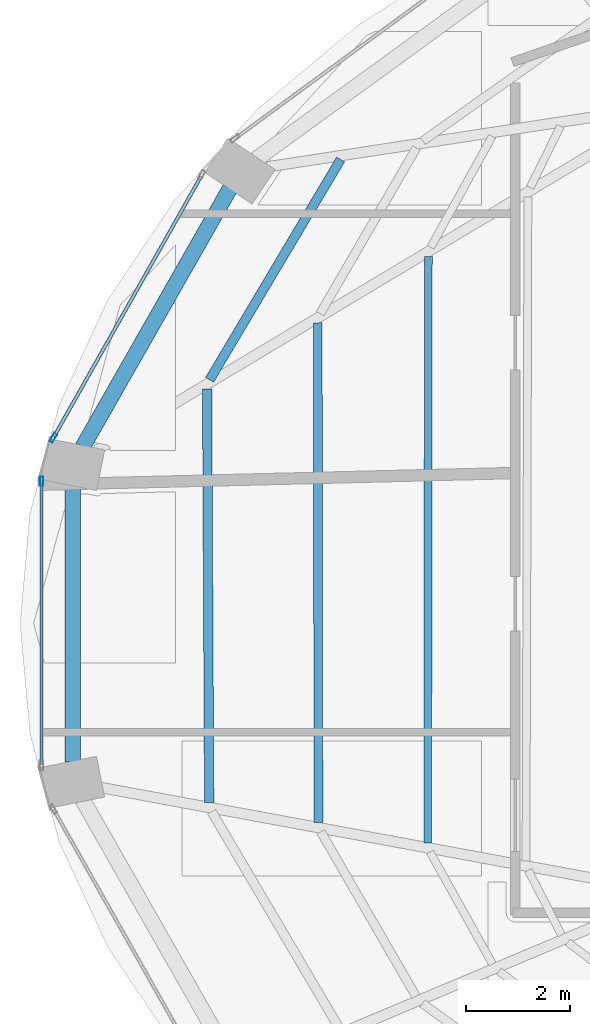
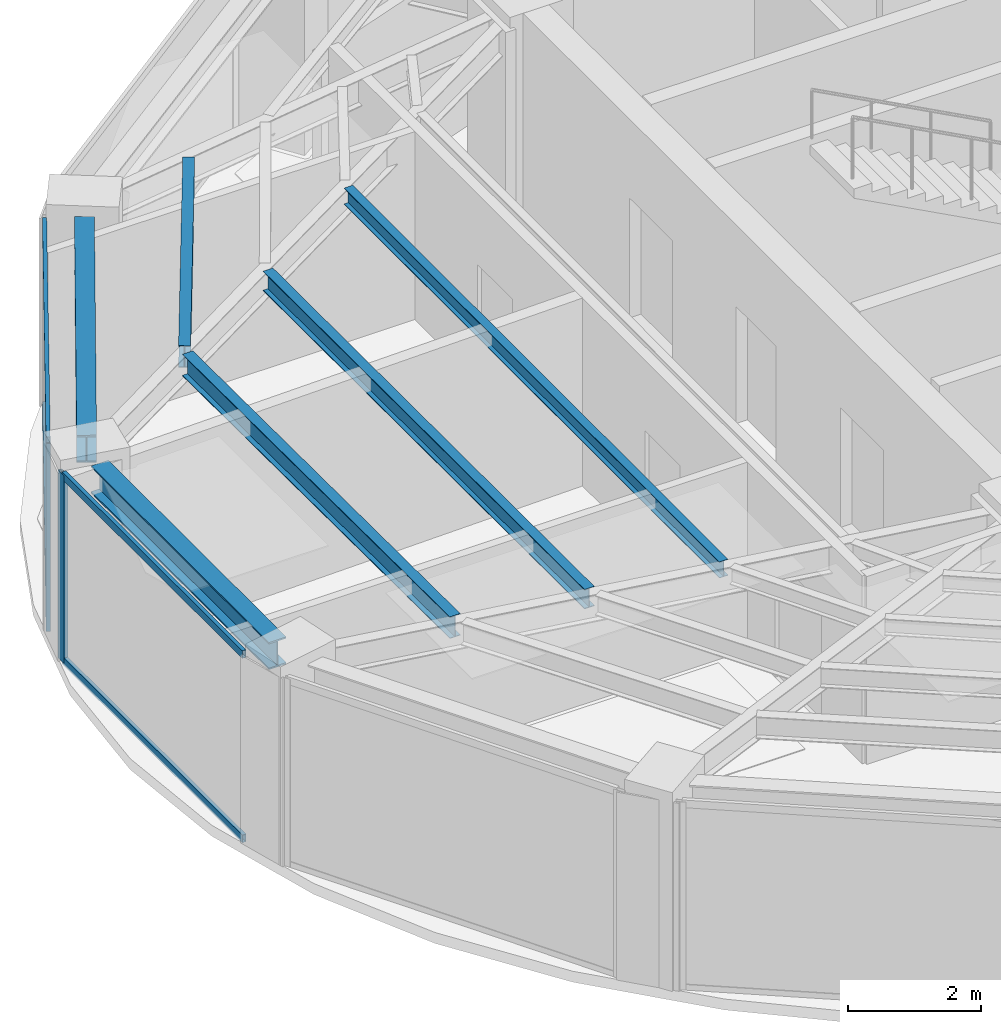
# One storey, part 8 of 23: 6 beams, 6 members, 2 elements without a shape of their own.
"""IFC4 building model written with IfcOpenShell, lengths in metres."""

from ifc_helpers import new_model, si_unit, direction, frame, origin, origin_2d, place, context, subcontext, project, spatial, hollow_rectangle, i_section, extrude, material, layer, layer_set, material_profile, profile_set, type_object, element, aggregate, save


model = new_model("IFC4")

# Units and contexts
model_context = context("Model", 3, precision=1e-05, world=origin(), true_north=direction((0.0, 1.0)))
body_context = subcontext(model_context, "Body", "Model", "MODEL_VIEW")
ifc_project = project(units=[si_unit("LENGTHUNIT", "METRE"), si_unit("AREAUNIT", "SQUARE_METRE"), si_unit("VOLUMEUNIT", "CUBIC_METRE"), si_unit("PLANEANGLEUNIT", "RADIAN"), si_unit("MASSUNIT", "GRAM", prefix="KILO")], contexts=[model_context])

# Site, building, storey
site_placement = place(None, origin())
site = spatial("IfcSite", under=ifc_project, at=site_placement, CompositionType="ELEMENT")
building_placement = place(site_placement, origin())
building = spatial("IfcBuilding", under=site, at=building_placement, Name="Lazwardi Medical Tower", CompositionType="ELEMENT")
storey_placement = place(building_placement, frame((0.0, 0.0, 234.9599609375)))
storey = spatial("IfcBuildingStorey", under=building, at=storey_placement, Name="L61", CompositionType="ELEMENT", Elevation=234.9599609375)

# Beams
ifc_material_1 = material(Name="Steel S355", Category="steel")
ifc_material_profile_1 = material_profile(ifc_material_1, i_section(OverallWidth=0.300048828125, OverallDepth=0.5, WebThickness=0.014404296875, FlangeThickness=0.028076171875, at=origin_2d()), Name="HEB 500")
ifc_profile_set_1 = profile_set([ifc_material_profile_1], Name="Steel S355")
beam_type_1 = type_object("IfcBeamType", Name="BM-RB-Z4", PredefinedType="BEAM", material=ifc_profile_set_1)
beam_1_placement = place(storey_placement, frame((17.84716796875, 33.983642578125, 3.197998046875), z_axis=(-0.495125273299, -0.868821594886, 0.0), x_axis=(0.868821594886, -0.495125273299, 0.0)))
element("IfcBeam", 1, at=beam_1_placement, inside=storey, type_object=beam_type_1, Name="Ring beam RB-05 B11 L61", PredefinedType="BEAM", context=body_context, shape_type="SweptSolid", body=[
    extrude(i_section(OverallWidth=0.300048828125, OverallDepth=0.5, WebThickness=0.014404296875, FlangeThickness=0.028076171875, at=origin_2d()), origin(), (0.0, 0.0, 1.0), 5.734130859375),
])
beam_2_placement = place(storey_placement, frame((14.81494140625, 28.27294921875, 3.197998046875), z_axis=(0.0, -1.0, 0.0), x_axis=(1.0, 0.0, 0.0)))
element("IfcBeam", 2, at=beam_2_placement, inside=storey, type_object=beam_type_1, Name="Ring beam RB-05 B12 L61", PredefinedType="BEAM", context=body_context, shape_type="SweptSolid", body=[
    extrude(i_section(OverallWidth=0.300048828125, OverallDepth=0.5, WebThickness=0.014404296875, FlangeThickness=0.028076171875, at=origin_2d()), origin(), (0.0, 0.0, 1.0), 5.345947265625),
])
ifc_material_profile_2 = material_profile(ifc_material_1, i_section(OverallWidth=0.179931640625, OverallDepth=0.39990234375, WebThickness=0.008544921875, FlangeThickness=0.013427734375, at=origin_2d()), Name="IPE 400")
ifc_profile_set_2 = profile_set([ifc_material_profile_2], Name="Steel S355")
beam_type_2 = type_object("IfcBeamType", Name="BM-SJ-01", PredefinedType="JOIST", material=ifc_profile_set_2)
beam_3_placement = place(storey_placement, frame((19.98095703125, 34.544921875, 3.248046875), z_axis=(-0.510967866251, -0.859599813668, 0.0), x_axis=(0.859599813668, -0.510967866251, 0.0)))
element("IfcBeam", 3, at=beam_3_placement, inside=storey, type_object=beam_type_2, Name="Secondary joist SJ-01 R1 B11 L61", PredefinedType="JOIST", context=body_context, shape_type="SweptSolid", body=[
    extrude(i_section(OverallWidth=0.179931640625, OverallDepth=0.39990234375, WebThickness=0.008544921875, FlangeThickness=0.013427734375, at=origin_2d()), origin(), (0.0, 0.0, 1.0), 4.94189453125),
])
beam_4_placement = place(storey_placement, frame((17.407958984375, 30.120361328125, 3.248046875), z_axis=(0.004929366644, -0.999987850598, 0.0), x_axis=(0.999987850598, 0.004929366644, 0.0)))
element("IfcBeam", 4, at=beam_4_placement, inside=storey, type_object=beam_type_2, Name="Secondary joist SJ-01 R1 B12 L61", PredefinedType="JOIST", context=body_context, shape_type="SweptSolid", body=[
    extrude(i_section(OverallWidth=0.179931640625, OverallDepth=0.39990234375, WebThickness=0.008544921875, FlangeThickness=0.013427734375, at=origin_2d()), origin(), (0.0, 0.0, 1.0), 7.973876953125),
])
ifc_material_profile_3 = material_profile(ifc_material_1, i_section(OverallWidth=0.169921875, OverallDepth=0.360107421875, WebThickness=0.008056640625, FlangeThickness=0.0126953125, at=origin_2d()), Name="IPE 360")
ifc_profile_set_3 = profile_set([ifc_material_profile_3], Name="Steel S355")
beam_type_3 = type_object("IfcBeamType", Name="BM-SJ-02", PredefinedType="JOIST", material=ifc_profile_set_3)
beam_5_placement = place(storey_placement, frame((19.541015625, 31.397705078125, 3.26806640625), z_axis=(0.001367606673, -0.999999064826, 0.0), x_axis=(0.999999064826, 0.001367606673, 0.0)))
element("IfcBeam", 5, at=beam_5_placement, inside=storey, type_object=beam_type_3, Name="Secondary joist SJ-02 R2 B12 L61", PredefinedType="JOIST", context=body_context, shape_type="SweptSolid", body=[
    extrude(i_section(OverallWidth=0.169921875, OverallDepth=0.360107421875, WebThickness=0.008056640625, FlangeThickness=0.0126953125, at=origin_2d()), origin(), (0.0, 0.0, 1.0), 9.639892578125),
])
ifc_material_profile_4 = material_profile(ifc_material_1, i_section(OverallWidth=0.14990234375, OverallDepth=0.300048828125, WebThickness=0.007080078125, FlangeThickness=0.0107421875, at=origin_2d()), Name="IPE 300")
ifc_profile_set_4 = profile_set([ifc_material_profile_4], Name="Steel S355")
beam_type_4 = type_object("IfcBeamType", Name="BM-SJ-03", PredefinedType="JOIST", material=ifc_profile_set_4)
beam_6_placement = place(storey_placement, frame((21.674072265625, 32.67529296875, 3.298095703125), z_axis=(-0.001166079235, -0.999999320129, 0.0), x_axis=(0.999999320129, -0.001166079235, 0.0)))
element("IfcBeam", 6, at=beam_6_placement, inside=storey, type_object=beam_type_4, Name="Secondary joist SJ-03 R3 B12 L61", PredefinedType="JOIST", context=body_context, shape_type="SweptSolid", body=[
    extrude(i_section(OverallWidth=0.14990234375, OverallDepth=0.300048828125, WebThickness=0.007080078125, FlangeThickness=0.0107421875, at=origin_2d()), origin(), (0.0, 0.0, 1.0), 11.305908203125),
])

# Curtain wall, member
ifc_material_2 = material(Name="Anodised bronze aluminium and solar control glazing", Category="aluminium")
ifc_layer = layer(ifc_material_2, 0.18994140625)
ifc_layer_set = layer_set([ifc_layer], Name="Anodised bronze aluminium and solar control glazing")
curtain_wall_type = type_object("IfcCurtainWallType", Name="CW-SYS-04", PredefinedType="NOTDEFINED", material=ifc_layer_set)
curtain_wall_1_placement = place(storey_placement, origin())
curtain_wall_1 = element("IfcCurtainWall", 7, at=curtain_wall_1_placement, inside=storey, type_object=curtain_wall_type, Name="L61 Unitised bronze curtain wall CW-04", PredefinedType="NOTDEFINED")
ifc_material_3 = material(Name="Anodised bronze aluminium", Category="aluminium")
ifc_material_profile_5 = material_profile(ifc_material_3, hollow_rectangle(XDim=0.06494140625, YDim=0.179931640625, WallThickness=0.00390625, at=origin_2d()), Name="ALU-MULLION 180x65x4")
ifc_profile_set_5 = profile_set([ifc_material_profile_5], Name="Anodised bronze aluminium")
member_type_1 = type_object("IfcMemberType", Name="CW-MUL-03", PredefinedType="MULLION", material=ifc_profile_set_5)
member_1_placement = place(storey_placement, frame((14.442626953125, 29.17822265625, 0.0), z_axis=(0.0, 0.0, 1.0), x_axis=(0.870651436011, -0.491900474661, 0.0)))
member_1 = element("IfcMember", 8, at=member_1_placement, type_object=member_type_1, Name="CW-04 mullion 2", PredefinedType="MULLION", context=body_context, shape_type="SweptSolid", body=[
    extrude(hollow_rectangle(XDim=0.06494140625, YDim=0.179931640625, WallThickness=0.00390625, at=origin_2d()), origin(), (0.0, 0.0, 1.0), 3.447998046875),
])

curtain_wall_2_placement = place(storey_placement, origin())
curtain_wall_2 = element("IfcCurtainWall", 9, at=curtain_wall_2_placement, inside=storey, type_object=curtain_wall_type, Name="L61 Unitised bronze curtain wall CW-04", PredefinedType="NOTDEFINED")
member_2_placement = place(storey_placement, frame((14.2158203125, 28.340576171875, 0.0), z_axis=(0.0, 0.0, 1.0), x_axis=(1.0, 0.0, 0.0)))
member_2 = element("IfcMember", 10, at=member_2_placement, type_object=member_type_1, Name="CW-04 mullion 1", PredefinedType="MULLION", context=body_context, shape_type="SweptSolid", body=[
    extrude(hollow_rectangle(XDim=0.06494140625, YDim=0.179931640625, WallThickness=0.00390625, at=origin_2d()), origin(), (0.0, 0.0, 1.0), 3.447998046875),
])

# Member
ifc_material_profile_6 = material_profile(ifc_material_3, hollow_rectangle(XDim=0.06494140625, YDim=0.139892578125, WallThickness=0.00341796875, at=origin_2d()), Name="ALU-TRANSOM 140x65x3.5")
ifc_profile_set_6 = profile_set([ifc_material_profile_6], Name="Anodised bronze aluminium")
member_type_2 = type_object("IfcMemberType", Name="CW-TRN-03", PredefinedType="USERDEFINED", material=ifc_profile_set_6)
member_3_placement = place(storey_placement, frame((17.28955078125, 34.21728515625, 0.032470703125), z_axis=(-0.491879719484, -0.87066316194, 0.0), x_axis=(0.87066316194, -0.491879719484, 0.0)))
member_3 = element("IfcMember", 11, at=member_3_placement, type_object=member_type_2, Name="CW-04 transom 1.1", ObjectType="TRANSOM", PredefinedType="USERDEFINED", context=body_context, shape_type="SweptSolid", body=[
    extrude(hollow_rectangle(XDim=0.06494140625, YDim=0.139892578125, WallThickness=0.00341796875, at=origin_2d()), origin(), (0.0, 0.0, 1.0), 5.755126953125),
])

member_4_placement = place(storey_placement, frame((17.28955078125, 34.21728515625, 3.41552734375), z_axis=(-0.491879719484, -0.87066316194, 0.0), x_axis=(0.87066316194, -0.491879719484, 0.0)))
member_4 = element("IfcMember", 12, at=member_4_placement, type_object=member_type_2, Name="CW-04 transom 1.2", ObjectType="TRANSOM", PredefinedType="USERDEFINED", context=body_context, shape_type="SweptSolid", body=[
    extrude(hollow_rectangle(XDim=0.06494140625, YDim=0.139892578125, WallThickness=0.00341796875, at=origin_2d()), origin(), (0.0, 0.0, 1.0), 5.755126953125),
])

aggregate(curtain_wall_1, [member_1, member_3, member_4])

member_5_placement = place(storey_placement, frame((14.2158203125, 28.30810546875, 0.032470703125), z_axis=(0.0, -1.0, 0.0), x_axis=(1.0, 0.0, 0.0)))
member_5 = element("IfcMember", 13, at=member_5_placement, type_object=member_type_2, Name="CW-04 transom 1.1", ObjectType="TRANSOM", PredefinedType="USERDEFINED", context=body_context, shape_type="SweptSolid", body=[
    extrude(hollow_rectangle(XDim=0.06494140625, YDim=0.139892578125, WallThickness=0.00341796875, at=origin_2d()), origin(), (0.0, 0.0, 1.0), 5.416015625),
])

member_6_placement = place(storey_placement, frame((14.2158203125, 28.30810546875, 3.41552734375), z_axis=(0.0, -1.0, 0.0), x_axis=(1.0, 0.0, 0.0)))
member_6 = element("IfcMember", 14, at=member_6_placement, type_object=member_type_2, Name="CW-04 transom 1.2", ObjectType="TRANSOM", PredefinedType="USERDEFINED", context=body_context, shape_type="SweptSolid", body=[
    extrude(hollow_rectangle(XDim=0.06494140625, YDim=0.139892578125, WallThickness=0.00341796875, at=origin_2d()), origin(), (0.0, 0.0, 1.0), 5.416015625),
])

aggregate(curtain_wall_2, [member_2, member_5, member_6])

save(model, "model.ifc")
